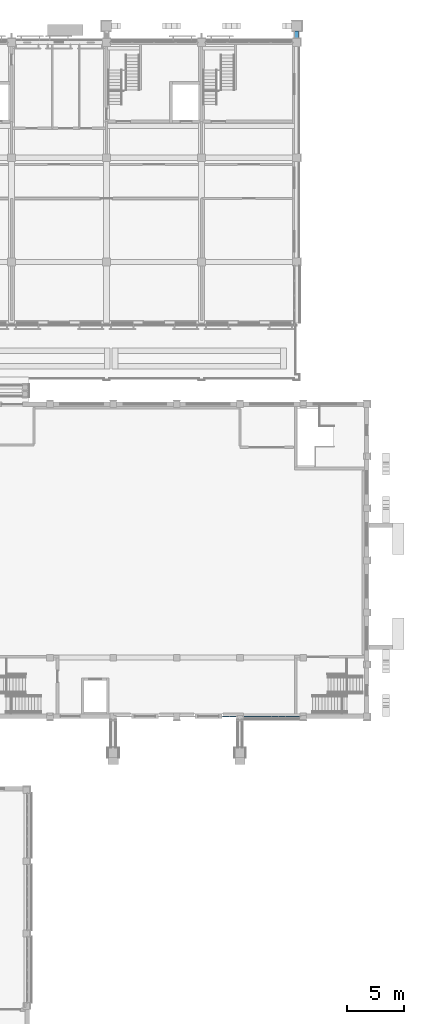
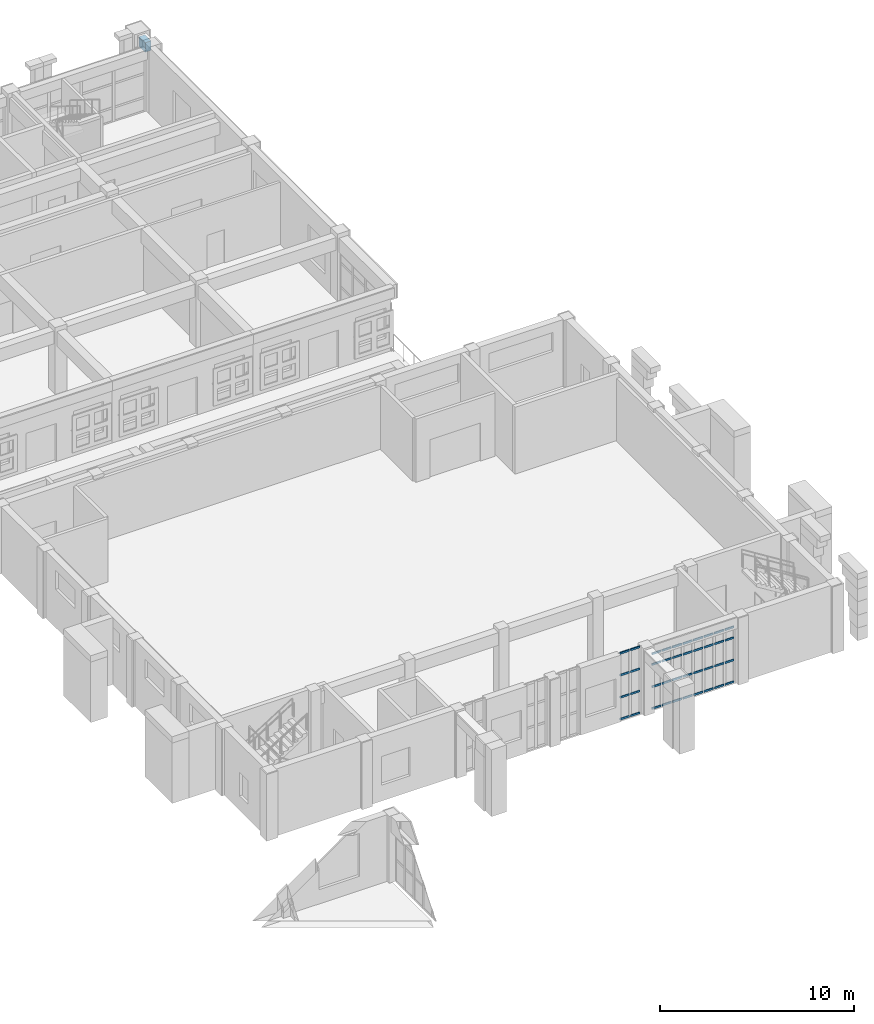
# One storey, part 38 of 99: 40 members, 1 beam, 2 elements without a shape of their own.
"""IFC4 building model written with IfcOpenShell, lengths in metres."""

import ifcopenshell
import ifcopenshell.guid

model = None  # the IFC model being written
_history = None  # IfcOwnerHistory: only IFC2X3 demands one
_inside = {}  # id of a spatial element -> (the spatial element, [elements in it])
_under = {}  # id of a project, library or spatial element -> (it, [spatial elements below it])
_declared = {}  # id of a project -> (the project, [libraries it declares])
_typed = {}  # id of a type object -> (the type object, [elements of that type])
_made_of = {}  # id of a material, layer set ... -> (it, [elements and type objects made of it])


def new_model(schema):
    """Start an empty IFC model of exactly this schema.

    Asked for "IFC4X3", IfcOpenShell would pick the latest addendum, in which some entities
    have other attributes; the version numbers below select the first issue.
    IFC2X3 requires an IfcOwnerHistory on every rooted entity: one is made here for all.
    """
    global model, _history
    if schema == "IFC4X3":
        model = ifcopenshell.file(schema_version=(4, 3, 0, 0))
    else:
        model = ifcopenshell.file(schema=schema)
    _inside.clear()
    _under.clear()
    _declared.clear()
    _typed.clear()
    _made_of.clear()
    _history = None
    if model.schema == "IFC2X3":
        org = make("IfcOrganization", Name="unknown")
        user = make(
            "IfcPersonAndOrganization",
            ThePerson=make("IfcPerson", FamilyName="unknown"),
            TheOrganization=org,
        )
        app = make(
            "IfcApplication",
            ApplicationDeveloper=org,
            Version="unknown",
            ApplicationFullName="unknown",
            ApplicationIdentifier="unknown",
        )
        _history = make(
            "IfcOwnerHistory",
            OwningUser=user,
            OwningApplication=app,
            ChangeAction="ADDED",
            CreationDate=0,
        )
    return model


def make(cls, **values):
    """One entity of the class cls with the attributes given. An attribute that is None is left unset."""
    return model.create_entity(
        cls, **{name: value for name, value in values.items() if value is not None}
    )


def rooted(cls, **values):
    """An entity with a GlobalId (a new one), such as an element, a storey or a relation."""
    return make(cls, GlobalId=ifcopenshell.guid.new(), OwnerHistory=_history, **values)


def si_unit(unit_type, name, prefix=None):
    """IfcSIUnit, for example si_unit("LENGTHUNIT", "METRE", prefix="MILLI")."""
    return make("IfcSIUnit", UnitType=unit_type, Prefix=prefix, Name=name)


def assignment(units):
    """IfcUnitAssignment: the units of a project."""
    return None if units is None else make("IfcUnitAssignment", Units=units)


def point(xyz):
    """IfcCartesianPoint."""
    return None if xyz is None else make("IfcCartesianPoint", Coordinates=xyz)


def direction(xyz):
    """IfcDirection."""
    return None if xyz is None else make("IfcDirection", DirectionRatios=xyz)


def frame(location, z_axis=None, x_axis=None):
    """IfcAxis2Placement3D, a coordinate frame: its origin and axes. An axis left out is left unset."""
    return make(
        "IfcAxis2Placement3D",
        Location=point(location),
        Axis=direction(z_axis),
        RefDirection=direction(x_axis),
    )


def frame_2d(location, x_axis=None):
    """IfcAxis2Placement2D, a coordinate frame in the plane: its origin and x axis."""
    return make(
        "IfcAxis2Placement2D", Location=point(location), RefDirection=direction(x_axis)
    )


def origin():
    """The frame at (0, 0, 0) with its axes left unset."""
    return frame((0.0, 0.0, 0.0))


def origin_2d():
    """The frame at (0, 0) in the plane with its x axis left unset."""
    return frame_2d((0.0, 0.0))


def place(relative_to, where):
    """IfcLocalPlacement: puts the frame where relative to a parent placement (None: the world)."""
    return make(
        "IfcLocalPlacement", PlacementRelTo=relative_to, RelativePlacement=where
    )


def context(
    kind, dimensions, precision=None, world=None, true_north=None, identifier=None
):
    """IfcGeometricRepresentationContext, for example the 3D "Model" context."""
    return make(
        "IfcGeometricRepresentationContext",
        ContextIdentifier=identifier,
        ContextType=kind,
        CoordinateSpaceDimension=dimensions,
        Precision=precision,
        WorldCoordinateSystem=world,
        TrueNorth=true_north,
    )


def subcontext(parent, identifier, kind, view, scale=None):
    """IfcGeometricRepresentationSubContext, for example "Body" below "Model"."""
    return make(
        "IfcGeometricRepresentationSubContext",
        ContextIdentifier=identifier,
        ContextType=kind,
        ParentContext=parent,
        TargetScale=scale,
        TargetView=view,
    )


def project(units=None, contexts=None):
    """IfcProject with its units and contexts."""
    return rooted(
        "IfcProject",
        Name="project",
        RepresentationContexts=contexts,
        UnitsInContext=assignment(units),
    )


def spatial(cls, under=None, at=None, **own):
    """A site, building, storey or space (cls), placed at a placement, below another one or the project."""
    s = rooted(cls, ObjectPlacement=at, **own)
    if under is not None:
        _under.setdefault(under.id(), (under, []))[1].append(s)
    return s


def profile(cls, at=None, kind="AREA", **sizes):
    """A parametric profile (cls). Its sizes go by their IFC names, for example OverallWidth=200.0."""
    return make(cls, ProfileType=kind, Position=at, **sizes)


def rectangle(**sizes):
    """IfcRectangleProfileDef."""
    return profile("IfcRectangleProfileDef", **sizes)


def extrude(swept, where, along, depth):
    """IfcExtrudedAreaSolid: the profile swept, set in the frame where, extruded along a direction by depth."""
    return make(
        "IfcExtrudedAreaSolid",
        SweptArea=swept,
        Position=where,
        ExtrudedDirection=direction(along),
        Depth=depth,
    )


def shape(context_of_items, identifier, shape_type, items):
    """IfcShapeRepresentation: the items that make up one representation, for example the "Body"."""
    return make(
        "IfcShapeRepresentation",
        ContextOfItems=context_of_items,
        RepresentationIdentifier=identifier,
        RepresentationType=shape_type,
        Items=items,
    )


def material(Name=None, Category=None):
    """IfcMaterial."""
    return make("IfcMaterial", Name=Name, Category=Category)


def layer(
    of_material, thickness, ventilated=None, Name=None, Category=None, Priority=None
):
    """IfcMaterialLayer: one layer of a wall or slab, of a material (None: an air gap)."""
    return make(
        "IfcMaterialLayer",
        Material=of_material,
        LayerThickness=thickness,
        IsVentilated=ventilated,
        Name=Name,
        Category=Category,
        Priority=Priority,
    )


def layer_set(layers, Name=None):
    """IfcMaterialLayerSet."""
    return make("IfcMaterialLayerSet", MaterialLayers=layers, LayerSetName=Name)


def material_profile(
    of_material, cross_section, Name=None, Category=None, Priority=None
):
    """IfcMaterialProfile: a cross section and its material."""
    return make(
        "IfcMaterialProfile",
        Name=Name,
        Material=of_material,
        Profile=cross_section,
        Priority=Priority,
        Category=Category,
    )


def profile_set(profiles, Name=None, composite=None):
    """IfcMaterialProfileSet."""
    return make(
        "IfcMaterialProfileSet",
        Name=Name,
        MaterialProfiles=profiles,
        CompositeProfile=composite,
    )


def made_of(thing, what):
    """Note that an element or type object is made of a material, layer set ...; save() writes the relation."""
    if what is not None:
        _made_of.setdefault(what.id(), (what, []))[1].append(thing)
    return thing


def type_object(cls, material=None, **own):
    """A type object (cls), such as IfcWallType, which elements share."""
    return made_of(rooted(cls, **own), material)


def element(
    cls,
    number,
    at=None,
    inside=None,
    cuts=None,
    type_object=None,
    material=None,
    context=None,
    identifier="Body",
    shape_type=None,
    held_by="IfcProductDefinitionShape",
    body=None,
    shapes=None,
    **own,
):
    """One element of the class cls, such as IfcWall. Its Tag is "e" and its number.

    at: its placement. inside: the storey or other place that contains it. cuts: it is an
    opening in that element (IfcRelVoidsElement). A single representation is given by context,
    identifier, shape_type and body (its items); several are given by shapes. held_by: the class
    of the entity that holds the representations. save() writes the other relations.
    """
    e = rooted(cls, Tag="e%d" % number, ObjectPlacement=at, **own)
    if body is not None:
        shapes = [shape(context, identifier, shape_type, body)]
    if shapes is not None:
        e.Representation = make(held_by, Representations=shapes)
    if inside is not None:
        _inside.setdefault(inside.id(), (inside, []))[1].append(e)
    if cuts is not None:
        rooted(
            "IfcRelVoidsElement", RelatingBuildingElement=cuts, RelatedOpeningElement=e
        )
    if type_object is not None:
        _typed.setdefault(type_object.id(), (type_object, []))[1].append(e)
    return made_of(e, material)


def aggregate(whole, parts):
    """IfcRelAggregates: a whole, such as a stair, and the parts it consists of."""
    return rooted("IfcRelAggregates", RelatingObject=whole, RelatedObjects=parts)


def save(model, path):
    """Write the relations noted so far, then the file.

    IfcRelAggregates (storeys below a building ...), IfcRelContainedInSpatialStructure (elements
    in a storey), IfcRelDefinesByType, IfcRelAssociatesMaterial and IfcRelDeclares: one each for
    every whole, place, type object, material and project.
    """
    for whole, parts in _under.values():
        aggregate(whole, parts)
    for where, things in _inside.values():
        rooted(
            "IfcRelContainedInSpatialStructure",
            RelatedElements=things,
            RelatingStructure=where,
        )
    for kind, things in _typed.values():
        rooted("IfcRelDefinesByType", RelatedObjects=things, RelatingType=kind)
    for what, things in _made_of.values():
        rooted("IfcRelAssociatesMaterial", RelatedObjects=things, RelatingMaterial=what)
    for by, libraries in _declared.values():
        rooted("IfcRelDeclares", RelatingContext=by, RelatedDefinitions=libraries)
    model.write(path)


model = new_model("IFC4")

# Units and contexts
model_context = context("Model", 3, precision=1e-05, world=origin(), true_north=direction((0.0, 1.0)))
body_context = subcontext(model_context, "Body", "Model", "MODEL_VIEW")
ifc_project = project(units=[si_unit("LENGTHUNIT", "METRE"), si_unit("AREAUNIT", "SQUARE_METRE"), si_unit("VOLUMEUNIT", "CUBIC_METRE"), si_unit("PLANEANGLEUNIT", "RADIAN"), si_unit("MASSUNIT", "GRAM", prefix="KILO")], contexts=[model_context])

# Site, building, storey
site_placement = place(None, origin())
site = spatial("IfcSite", under=ifc_project, at=site_placement, CompositionType="ELEMENT")
building_placement = place(site_placement, origin())
building = spatial("IfcBuilding", under=site, at=building_placement, Name="Wasatch Bagh Community Centre", CompositionType="ELEMENT")
storey_placement = place(building_placement, frame((0.0, 0.0, 4.199951171875)))
storey = spatial("IfcBuildingStorey", under=building, at=storey_placement, Name="L01", CompositionType="ELEMENT", Elevation=4.199951171875)

# Beam
ifc_material_1 = material(Name="Concrete C35", Category="concrete")
ifc_material_profile_1 = material_profile(ifc_material_1, rectangle(XDim=0.35009765625, YDim=0.60009765625, at=origin_2d()), Name="RC 350x600")
ifc_profile_set_1 = profile_set([ifc_material_profile_1], Name="Concrete C35")
beam_type = type_object("IfcBeamType", Name="CL-B4", PredefinedType="BEAM", material=ifc_profile_set_1)
beam_placement = place(storey_placement, frame((139.60009765625, 98.14990234375, 3.699951171875), z_axis=(0.0, 1.0, 0.0), x_axis=(-1.0, 0.0, 0.0)))
element("IfcBeam", 1, at=beam_placement, inside=storey, type_object=beam_type, Name="CL-B4 tie LWP06.2", PredefinedType="BEAM", context=body_context, shape_type="SweptSolid", body=[
    extrude(rectangle(XDim=0.35009765625, YDim=0.60009765625, at=origin_2d()), origin(), (0.0, 0.0, 1.0), 0.650146484375),
])

# Curtain wall, members
ifc_material_2 = material(Name="Aluminium alloy 6063-T6", Category="aluminium")
ifc_layer = layer(ifc_material_2, 0.10009765625)
ifc_layer_set = layer_set([ifc_layer], Name="Aluminium alloy 6063-T6")
curtain_wall_type = type_object("IfcCurtainWallType", Name="SH-CW1", PredefinedType="NOTDEFINED", material=ifc_layer_set)
curtain_wall_1_placement = place(storey_placement, origin())
curtain_wall_1 = element("IfcCurtainWall", 2, at=curtain_wall_1_placement, inside=storey, type_object=curtain_wall_type, Name="Curtain wall SH-CW1", PredefinedType="NOTDEFINED")
ifc_material_profile_2 = material_profile(ifc_material_2, rectangle(XDim=0.06005859375, YDim=0.1201171875, at=origin_2d()), Name="AL 60x120")
ifc_profile_set_2 = profile_set([ifc_material_profile_2], Name="Aluminium alloy 6063-T6")
member_type = type_object("IfcMemberType", Name="SH-CW1 transom", PredefinedType="USERDEFINED", material=ifc_profile_set_2)
member_1_placement = place(storey_placement, frame((133.06005859375, 38.199951171875, 0.030029296875), z_axis=(1.0, 0.0, 0.0), x_axis=(0.0, 1.0, 0.0)))
member_1 = element("IfcMember", 3, at=member_1_placement, type_object=member_type, Name="SH-CW1 transom 1.1", ObjectType="TRANSOM", PredefinedType="USERDEFINED", context=body_context, shape_type="SweptSolid", body=[
    extrude(rectangle(XDim=0.06005859375, YDim=0.1201171875, at=origin_2d()), origin(), (0.0, 0.0, 1.0), 0.56005859375),
])
member_2_placement = place(storey_placement, frame((133.06005859375, 38.199951171875, 1.400146484375), z_axis=(1.0, 0.0, 0.0), x_axis=(0.0, 1.0, 0.0)))
member_2 = element("IfcMember", 4, at=member_2_placement, type_object=member_type, Name="SH-CW1 transom 1.2", ObjectType="TRANSOM", PredefinedType="USERDEFINED", context=body_context, shape_type="SweptSolid", body=[
    extrude(rectangle(XDim=0.06005859375, YDim=0.1201171875, at=origin_2d()), origin(), (0.0, 0.0, 1.0), 0.56005859375),
])
member_3_placement = place(storey_placement, frame((133.06005859375, 38.199951171875, 2.800048828125), z_axis=(1.0, 0.0, 0.0), x_axis=(0.0, 1.0, 0.0)))
member_3 = element("IfcMember", 5, at=member_3_placement, type_object=member_type, Name="SH-CW1 transom 1.3", ObjectType="TRANSOM", PredefinedType="USERDEFINED", context=body_context, shape_type="SweptSolid", body=[
    extrude(rectangle(XDim=0.06005859375, YDim=0.1201171875, at=origin_2d()), origin(), (0.0, 0.0, 1.0), 0.56005859375),
])
member_4_placement = place(storey_placement, frame((133.06005859375, 38.199951171875, 4.170166015625), z_axis=(1.0, 0.0, 0.0), x_axis=(0.0, 1.0, 0.0)))
member_4 = element("IfcMember", 6, at=member_4_placement, type_object=member_type, Name="SH-CW1 transom 1.4", ObjectType="TRANSOM", PredefinedType="USERDEFINED", context=body_context, shape_type="SweptSolid", body=[
    extrude(rectangle(XDim=0.06005859375, YDim=0.1201171875, at=origin_2d()), origin(), (0.0, 0.0, 1.0), 0.56005859375),
])
member_5_placement = place(storey_placement, frame((133.679931640625, 38.199951171875, 0.030029296875), z_axis=(1.0, 0.0, 0.0), x_axis=(0.0, 1.0, 0.0)))
member_5 = element("IfcMember", 7, at=member_5_placement, type_object=member_type, Name="SH-CW1 transom 2.1", ObjectType="TRANSOM", PredefinedType="USERDEFINED", context=body_context, shape_type="SweptSolid", body=[
    extrude(rectangle(XDim=0.06005859375, YDim=0.1201171875, at=origin_2d()), origin(), (0.0, 0.0, 1.0), 0.56005859375),
])
member_6_placement = place(storey_placement, frame((133.679931640625, 38.199951171875, 1.400146484375), z_axis=(1.0, 0.0, 0.0), x_axis=(0.0, 1.0, 0.0)))
member_6 = element("IfcMember", 8, at=member_6_placement, type_object=member_type, Name="SH-CW1 transom 2.2", ObjectType="TRANSOM", PredefinedType="USERDEFINED", context=body_context, shape_type="SweptSolid", body=[
    extrude(rectangle(XDim=0.06005859375, YDim=0.1201171875, at=origin_2d()), origin(), (0.0, 0.0, 1.0), 0.56005859375),
])
member_7_placement = place(storey_placement, frame((133.679931640625, 38.199951171875, 2.800048828125), z_axis=(1.0, 0.0, 0.0), x_axis=(0.0, 1.0, 0.0)))
member_7 = element("IfcMember", 9, at=member_7_placement, type_object=member_type, Name="SH-CW1 transom 2.3", ObjectType="TRANSOM", PredefinedType="USERDEFINED", context=body_context, shape_type="SweptSolid", body=[
    extrude(rectangle(XDim=0.06005859375, YDim=0.1201171875, at=origin_2d()), origin(), (0.0, 0.0, 1.0), 0.56005859375),
])
member_8_placement = place(storey_placement, frame((133.679931640625, 38.199951171875, 4.170166015625), z_axis=(1.0, 0.0, 0.0), x_axis=(0.0, 1.0, 0.0)))
member_8 = element("IfcMember", 10, at=member_8_placement, type_object=member_type, Name="SH-CW1 transom 2.4", ObjectType="TRANSOM", PredefinedType="USERDEFINED", context=body_context, shape_type="SweptSolid", body=[
    extrude(rectangle(XDim=0.06005859375, YDim=0.1201171875, at=origin_2d()), origin(), (0.0, 0.0, 1.0), 0.56005859375),
])
aggregate(curtain_wall_1, [member_1, member_2, member_3, member_4, member_5, member_6, member_7, member_8])

curtain_wall_2_placement = place(storey_placement, origin())
curtain_wall_2 = element("IfcCurtainWall", 11, at=curtain_wall_2_placement, inside=storey, type_object=curtain_wall_type, Name="Curtain wall SH-CW1", PredefinedType="NOTDEFINED")
member_9_placement = place(storey_placement, frame((134.9599609375, 38.199951171875, 0.030029296875), z_axis=(1.0, 0.0, 0.0), x_axis=(0.0, 1.0, 0.0)))
member_9 = element("IfcMember", 12, at=member_9_placement, type_object=member_type, Name="SH-CW1 transom 1.1", ObjectType="TRANSOM", PredefinedType="USERDEFINED", context=body_context, shape_type="SweptSolid", body=[
    extrude(rectangle(XDim=0.06005859375, YDim=0.1201171875, at=origin_2d()), origin(), (0.0, 0.0, 1.0), 0.53515625),
])
member_10_placement = place(storey_placement, frame((134.9599609375, 38.199951171875, 1.400146484375), z_axis=(1.0, 0.0, 0.0), x_axis=(0.0, 1.0, 0.0)))
member_10 = element("IfcMember", 13, at=member_10_placement, type_object=member_type, Name="SH-CW1 transom 1.2", ObjectType="TRANSOM", PredefinedType="USERDEFINED", context=body_context, shape_type="SweptSolid", body=[
    extrude(rectangle(XDim=0.06005859375, YDim=0.1201171875, at=origin_2d()), origin(), (0.0, 0.0, 1.0), 0.53515625),
])
member_11_placement = place(storey_placement, frame((134.9599609375, 38.199951171875, 2.800048828125), z_axis=(1.0, 0.0, 0.0), x_axis=(0.0, 1.0, 0.0)))
member_11 = element("IfcMember", 14, at=member_11_placement, type_object=member_type, Name="SH-CW1 transom 1.3", ObjectType="TRANSOM", PredefinedType="USERDEFINED", context=body_context, shape_type="SweptSolid", body=[
    extrude(rectangle(XDim=0.06005859375, YDim=0.1201171875, at=origin_2d()), origin(), (0.0, 0.0, 1.0), 0.53515625),
])
member_12_placement = place(storey_placement, frame((134.9599609375, 38.199951171875, 3.469970703125), z_axis=(1.0, 0.0, 0.0), x_axis=(0.0, 1.0, 0.0)))
member_12 = element("IfcMember", 15, at=member_12_placement, type_object=member_type, Name="SH-CW1 transom 1.4", ObjectType="TRANSOM", PredefinedType="USERDEFINED", context=body_context, shape_type="SweptSolid", body=[
    extrude(rectangle(XDim=0.06005859375, YDim=0.1201171875, at=origin_2d()), origin(), (0.0, 0.0, 1.0), 0.53515625),
])
member_13_placement = place(storey_placement, frame((135.554931640625, 38.199951171875, 0.030029296875), z_axis=(1.0, 0.0, 0.0), x_axis=(0.0, 1.0, 0.0)))
member_13 = element("IfcMember", 16, at=member_13_placement, type_object=member_type, Name="SH-CW1 transom 2.1", ObjectType="TRANSOM", PredefinedType="USERDEFINED", context=body_context, shape_type="SweptSolid", body=[
    extrude(rectangle(XDim=0.06005859375, YDim=0.1201171875, at=origin_2d()), origin(), (0.0, 0.0, 1.0), 0.565185546875),
])
member_14_placement = place(storey_placement, frame((135.554931640625, 38.199951171875, 1.400146484375), z_axis=(1.0, 0.0, 0.0), x_axis=(0.0, 1.0, 0.0)))
member_14 = element("IfcMember", 17, at=member_14_placement, type_object=member_type, Name="SH-CW1 transom 2.2", ObjectType="TRANSOM", PredefinedType="USERDEFINED", context=body_context, shape_type="SweptSolid", body=[
    extrude(rectangle(XDim=0.06005859375, YDim=0.1201171875, at=origin_2d()), origin(), (0.0, 0.0, 1.0), 0.565185546875),
])
member_15_placement = place(storey_placement, frame((135.554931640625, 38.199951171875, 2.800048828125), z_axis=(1.0, 0.0, 0.0), x_axis=(0.0, 1.0, 0.0)))
member_15 = element("IfcMember", 18, at=member_15_placement, type_object=member_type, Name="SH-CW1 transom 2.3", ObjectType="TRANSOM", PredefinedType="USERDEFINED", context=body_context, shape_type="SweptSolid", body=[
    extrude(rectangle(XDim=0.06005859375, YDim=0.1201171875, at=origin_2d()), origin(), (0.0, 0.0, 1.0), 0.565185546875),
])
member_16_placement = place(storey_placement, frame((135.554931640625, 38.199951171875, 3.469970703125), z_axis=(1.0, 0.0, 0.0), x_axis=(0.0, 1.0, 0.0)))
member_16 = element("IfcMember", 19, at=member_16_placement, type_object=member_type, Name="SH-CW1 transom 2.4", ObjectType="TRANSOM", PredefinedType="USERDEFINED", context=body_context, shape_type="SweptSolid", body=[
    extrude(rectangle(XDim=0.06005859375, YDim=0.1201171875, at=origin_2d()), origin(), (0.0, 0.0, 1.0), 0.565185546875),
])
member_17_placement = place(storey_placement, frame((136.179931640625, 38.199951171875, 0.030029296875), z_axis=(1.0, 0.0, 0.0), x_axis=(0.0, 1.0, 0.0)))
member_17 = element("IfcMember", 20, at=member_17_placement, type_object=member_type, Name="SH-CW1 transom 3.1", ObjectType="TRANSOM", PredefinedType="USERDEFINED", context=body_context, shape_type="SweptSolid", body=[
    extrude(rectangle(XDim=0.06005859375, YDim=0.1201171875, at=origin_2d()), origin(), (0.0, 0.0, 1.0), 0.565185546875),
])
member_18_placement = place(storey_placement, frame((136.179931640625, 38.199951171875, 1.400146484375), z_axis=(1.0, 0.0, 0.0), x_axis=(0.0, 1.0, 0.0)))
member_18 = element("IfcMember", 21, at=member_18_placement, type_object=member_type, Name="SH-CW1 transom 3.2", ObjectType="TRANSOM", PredefinedType="USERDEFINED", context=body_context, shape_type="SweptSolid", body=[
    extrude(rectangle(XDim=0.06005859375, YDim=0.1201171875, at=origin_2d()), origin(), (0.0, 0.0, 1.0), 0.565185546875),
])
member_19_placement = place(storey_placement, frame((136.179931640625, 38.199951171875, 2.800048828125), z_axis=(1.0, 0.0, 0.0), x_axis=(0.0, 1.0, 0.0)))
member_19 = element("IfcMember", 22, at=member_19_placement, type_object=member_type, Name="SH-CW1 transom 3.3", ObjectType="TRANSOM", PredefinedType="USERDEFINED", context=body_context, shape_type="SweptSolid", body=[
    extrude(rectangle(XDim=0.06005859375, YDim=0.1201171875, at=origin_2d()), origin(), (0.0, 0.0, 1.0), 0.565185546875),
])
member_20_placement = place(storey_placement, frame((136.179931640625, 38.199951171875, 3.469970703125), z_axis=(1.0, 0.0, 0.0), x_axis=(0.0, 1.0, 0.0)))
member_20 = element("IfcMember", 23, at=member_20_placement, type_object=member_type, Name="SH-CW1 transom 3.4", ObjectType="TRANSOM", PredefinedType="USERDEFINED", context=body_context, shape_type="SweptSolid", body=[
    extrude(rectangle(XDim=0.06005859375, YDim=0.1201171875, at=origin_2d()), origin(), (0.0, 0.0, 1.0), 0.565185546875),
])
member_21_placement = place(storey_placement, frame((136.804931640625, 38.199951171875, 0.030029296875), z_axis=(1.0, 0.0, 0.0), x_axis=(0.0, 1.0, 0.0)))
member_21 = element("IfcMember", 24, at=member_21_placement, type_object=member_type, Name="SH-CW1 transom 4.1", ObjectType="TRANSOM", PredefinedType="USERDEFINED", context=body_context, shape_type="SweptSolid", body=[
    extrude(rectangle(XDim=0.06005859375, YDim=0.1201171875, at=origin_2d()), origin(), (0.0, 0.0, 1.0), 0.565185546875),
])
member_22_placement = place(storey_placement, frame((136.804931640625, 38.199951171875, 1.400146484375), z_axis=(1.0, 0.0, 0.0), x_axis=(0.0, 1.0, 0.0)))
member_22 = element("IfcMember", 25, at=member_22_placement, type_object=member_type, Name="SH-CW1 transom 4.2", ObjectType="TRANSOM", PredefinedType="USERDEFINED", context=body_context, shape_type="SweptSolid", body=[
    extrude(rectangle(XDim=0.06005859375, YDim=0.1201171875, at=origin_2d()), origin(), (0.0, 0.0, 1.0), 0.565185546875),
])
member_23_placement = place(storey_placement, frame((136.804931640625, 38.199951171875, 2.800048828125), z_axis=(1.0, 0.0, 0.0), x_axis=(0.0, 1.0, 0.0)))
member_23 = element("IfcMember", 26, at=member_23_placement, type_object=member_type, Name="SH-CW1 transom 4.3", ObjectType="TRANSOM", PredefinedType="USERDEFINED", context=body_context, shape_type="SweptSolid", body=[
    extrude(rectangle(XDim=0.06005859375, YDim=0.1201171875, at=origin_2d()), origin(), (0.0, 0.0, 1.0), 0.565185546875),
])
member_24_placement = place(storey_placement, frame((136.804931640625, 38.199951171875, 3.469970703125), z_axis=(1.0, 0.0, 0.0), x_axis=(0.0, 1.0, 0.0)))
member_24 = element("IfcMember", 27, at=member_24_placement, type_object=member_type, Name="SH-CW1 transom 4.4", ObjectType="TRANSOM", PredefinedType="USERDEFINED", context=body_context, shape_type="SweptSolid", body=[
    extrude(rectangle(XDim=0.06005859375, YDim=0.1201171875, at=origin_2d()), origin(), (0.0, 0.0, 1.0), 0.565185546875),
])
member_25_placement = place(storey_placement, frame((137.429931640625, 38.199951171875, 0.030029296875), z_axis=(1.0, 0.0, 0.0), x_axis=(0.0, 1.0, 0.0)))
member_25 = element("IfcMember", 28, at=member_25_placement, type_object=member_type, Name="SH-CW1 transom 5.1", ObjectType="TRANSOM", PredefinedType="USERDEFINED", context=body_context, shape_type="SweptSolid", body=[
    extrude(rectangle(XDim=0.06005859375, YDim=0.1201171875, at=origin_2d()), origin(), (0.0, 0.0, 1.0), 0.565185546875),
])
member_26_placement = place(storey_placement, frame((137.429931640625, 38.199951171875, 1.400146484375), z_axis=(1.0, 0.0, 0.0), x_axis=(0.0, 1.0, 0.0)))
member_26 = element("IfcMember", 29, at=member_26_placement, type_object=member_type, Name="SH-CW1 transom 5.2", ObjectType="TRANSOM", PredefinedType="USERDEFINED", context=body_context, shape_type="SweptSolid", body=[
    extrude(rectangle(XDim=0.06005859375, YDim=0.1201171875, at=origin_2d()), origin(), (0.0, 0.0, 1.0), 0.565185546875),
])
member_27_placement = place(storey_placement, frame((137.429931640625, 38.199951171875, 2.800048828125), z_axis=(1.0, 0.0, 0.0), x_axis=(0.0, 1.0, 0.0)))
member_27 = element("IfcMember", 30, at=member_27_placement, type_object=member_type, Name="SH-CW1 transom 5.3", ObjectType="TRANSOM", PredefinedType="USERDEFINED", context=body_context, shape_type="SweptSolid", body=[
    extrude(rectangle(XDim=0.06005859375, YDim=0.1201171875, at=origin_2d()), origin(), (0.0, 0.0, 1.0), 0.565185546875),
])
member_28_placement = place(storey_placement, frame((137.429931640625, 38.199951171875, 3.469970703125), z_axis=(1.0, 0.0, 0.0), x_axis=(0.0, 1.0, 0.0)))
member_28 = element("IfcMember", 31, at=member_28_placement, type_object=member_type, Name="SH-CW1 transom 5.4", ObjectType="TRANSOM", PredefinedType="USERDEFINED", context=body_context, shape_type="SweptSolid", body=[
    extrude(rectangle(XDim=0.06005859375, YDim=0.1201171875, at=origin_2d()), origin(), (0.0, 0.0, 1.0), 0.565185546875),
])
member_29_placement = place(storey_placement, frame((138.054931640625, 38.199951171875, 0.030029296875), z_axis=(1.0, 0.0, 0.0), x_axis=(0.0, 1.0, 0.0)))
member_29 = element("IfcMember", 32, at=member_29_placement, type_object=member_type, Name="SH-CW1 transom 6.1", ObjectType="TRANSOM", PredefinedType="USERDEFINED", context=body_context, shape_type="SweptSolid", body=[
    extrude(rectangle(XDim=0.06005859375, YDim=0.1201171875, at=origin_2d()), origin(), (0.0, 0.0, 1.0), 0.565185546875),
])
member_30_placement = place(storey_placement, frame((138.054931640625, 38.199951171875, 1.400146484375), z_axis=(1.0, 0.0, 0.0), x_axis=(0.0, 1.0, 0.0)))
member_30 = element("IfcMember", 33, at=member_30_placement, type_object=member_type, Name="SH-CW1 transom 6.2", ObjectType="TRANSOM", PredefinedType="USERDEFINED", context=body_context, shape_type="SweptSolid", body=[
    extrude(rectangle(XDim=0.06005859375, YDim=0.1201171875, at=origin_2d()), origin(), (0.0, 0.0, 1.0), 0.565185546875),
])
member_31_placement = place(storey_placement, frame((138.054931640625, 38.199951171875, 2.800048828125), z_axis=(1.0, 0.0, 0.0), x_axis=(0.0, 1.0, 0.0)))
member_31 = element("IfcMember", 34, at=member_31_placement, type_object=member_type, Name="SH-CW1 transom 6.3", ObjectType="TRANSOM", PredefinedType="USERDEFINED", context=body_context, shape_type="SweptSolid", body=[
    extrude(rectangle(XDim=0.06005859375, YDim=0.1201171875, at=origin_2d()), origin(), (0.0, 0.0, 1.0), 0.565185546875),
])
member_32_placement = place(storey_placement, frame((138.054931640625, 38.199951171875, 3.469970703125), z_axis=(1.0, 0.0, 0.0), x_axis=(0.0, 1.0, 0.0)))
member_32 = element("IfcMember", 35, at=member_32_placement, type_object=member_type, Name="SH-CW1 transom 6.4", ObjectType="TRANSOM", PredefinedType="USERDEFINED", context=body_context, shape_type="SweptSolid", body=[
    extrude(rectangle(XDim=0.06005859375, YDim=0.1201171875, at=origin_2d()), origin(), (0.0, 0.0, 1.0), 0.565185546875),
])
member_33_placement = place(storey_placement, frame((138.679931640625, 38.199951171875, 0.030029296875), z_axis=(1.0, 0.0, 0.0), x_axis=(0.0, 1.0, 0.0)))
member_33 = element("IfcMember", 36, at=member_33_placement, type_object=member_type, Name="SH-CW1 transom 7.1", ObjectType="TRANSOM", PredefinedType="USERDEFINED", context=body_context, shape_type="SweptSolid", body=[
    extrude(rectangle(XDim=0.06005859375, YDim=0.1201171875, at=origin_2d()), origin(), (0.0, 0.0, 1.0), 0.565185546875),
])
member_34_placement = place(storey_placement, frame((138.679931640625, 38.199951171875, 1.400146484375), z_axis=(1.0, 0.0, 0.0), x_axis=(0.0, 1.0, 0.0)))
member_34 = element("IfcMember", 37, at=member_34_placement, type_object=member_type, Name="SH-CW1 transom 7.2", ObjectType="TRANSOM", PredefinedType="USERDEFINED", context=body_context, shape_type="SweptSolid", body=[
    extrude(rectangle(XDim=0.06005859375, YDim=0.1201171875, at=origin_2d()), origin(), (0.0, 0.0, 1.0), 0.565185546875),
])
member_35_placement = place(storey_placement, frame((138.679931640625, 38.199951171875, 2.800048828125), z_axis=(1.0, 0.0, 0.0), x_axis=(0.0, 1.0, 0.0)))
member_35 = element("IfcMember", 38, at=member_35_placement, type_object=member_type, Name="SH-CW1 transom 7.3", ObjectType="TRANSOM", PredefinedType="USERDEFINED", context=body_context, shape_type="SweptSolid", body=[
    extrude(rectangle(XDim=0.06005859375, YDim=0.1201171875, at=origin_2d()), origin(), (0.0, 0.0, 1.0), 0.565185546875),
])
member_36_placement = place(storey_placement, frame((138.679931640625, 38.199951171875, 3.469970703125), z_axis=(1.0, 0.0, 0.0), x_axis=(0.0, 1.0, 0.0)))
member_36 = element("IfcMember", 39, at=member_36_placement, type_object=member_type, Name="SH-CW1 transom 7.4", ObjectType="TRANSOM", PredefinedType="USERDEFINED", context=body_context, shape_type="SweptSolid", body=[
    extrude(rectangle(XDim=0.06005859375, YDim=0.1201171875, at=origin_2d()), origin(), (0.0, 0.0, 1.0), 0.565185546875),
])
member_37_placement = place(storey_placement, frame((139.304931640625, 38.199951171875, 0.030029296875), z_axis=(1.0, 0.0, 0.0), x_axis=(0.0, 1.0, 0.0)))
member_37 = element("IfcMember", 40, at=member_37_placement, type_object=member_type, Name="SH-CW1 transom 8.1", ObjectType="TRANSOM", PredefinedType="USERDEFINED", context=body_context, shape_type="SweptSolid", body=[
    extrude(rectangle(XDim=0.06005859375, YDim=0.1201171875, at=origin_2d()), origin(), (0.0, 0.0, 1.0), 0.53515625),
])
member_38_placement = place(storey_placement, frame((139.304931640625, 38.199951171875, 1.400146484375), z_axis=(1.0, 0.0, 0.0), x_axis=(0.0, 1.0, 0.0)))
member_38 = element("IfcMember", 41, at=member_38_placement, type_object=member_type, Name="SH-CW1 transom 8.2", ObjectType="TRANSOM", PredefinedType="USERDEFINED", context=body_context, shape_type="SweptSolid", body=[
    extrude(rectangle(XDim=0.06005859375, YDim=0.1201171875, at=origin_2d()), origin(), (0.0, 0.0, 1.0), 0.53515625),
])
member_39_placement = place(storey_placement, frame((139.304931640625, 38.199951171875, 2.800048828125), z_axis=(1.0, 0.0, 0.0), x_axis=(0.0, 1.0, 0.0)))
member_39 = element("IfcMember", 42, at=member_39_placement, type_object=member_type, Name="SH-CW1 transom 8.3", ObjectType="TRANSOM", PredefinedType="USERDEFINED", context=body_context, shape_type="SweptSolid", body=[
    extrude(rectangle(XDim=0.06005859375, YDim=0.1201171875, at=origin_2d()), origin(), (0.0, 0.0, 1.0), 0.53515625),
])
member_40_placement = place(storey_placement, frame((139.304931640625, 38.199951171875, 3.469970703125), z_axis=(1.0, 0.0, 0.0), x_axis=(0.0, 1.0, 0.0)))
member_40 = element("IfcMember", 43, at=member_40_placement, type_object=member_type, Name="SH-CW1 transom 8.4", ObjectType="TRANSOM", PredefinedType="USERDEFINED", context=body_context, shape_type="SweptSolid", body=[
    extrude(rectangle(XDim=0.06005859375, YDim=0.1201171875, at=origin_2d()), origin(), (0.0, 0.0, 1.0), 0.53515625),
])
aggregate(curtain_wall_2, [member_9, member_10, member_11, member_12, member_13, member_14, member_15, member_16, member_17, member_18, member_19, member_20, member_21, member_22, member_23, member_24, member_25, member_26, member_27, member_28, member_29, member_30, member_31, member_32, member_33, member_34, member_35, member_36, member_37, member_38, member_39, member_40])

save(model, "model.ifc")
